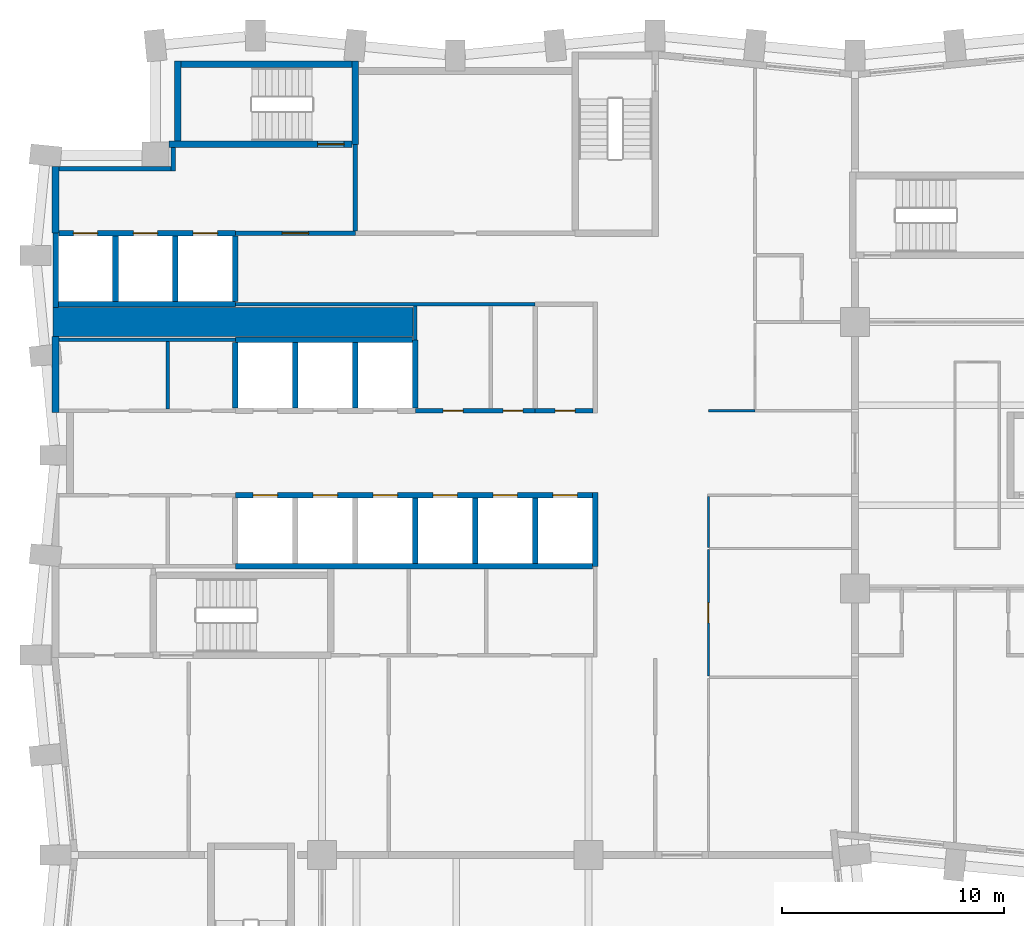
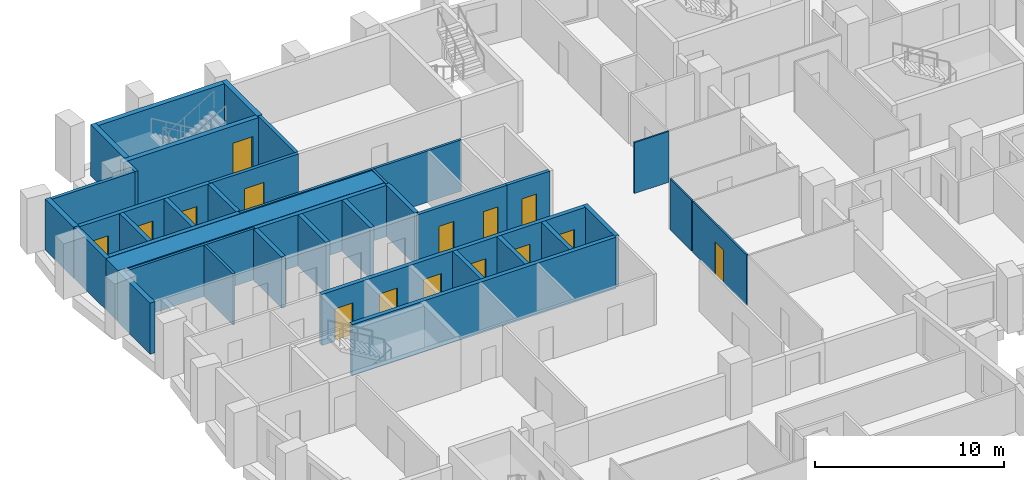
# One storey, part 6 of 12: 37 walls, 15 doors, 15 openings.
"""IFC4 building model written with IfcOpenShell, lengths in metres."""

from ifc_helpers import new_model, si_unit, direction, frame, frame_2d, origin, place, context, subcontext, project, spatial, rectangle, extrude, material, layer, layer_set, type_object, element, fill, save


model = new_model("IFC4")

# Units and contexts
model_context = context("Model", 3, precision=1e-05, world=origin(), true_north=direction((0.0, 1.0)))
body_context = subcontext(model_context, "Body", "Model", "MODEL_VIEW")
ifc_project = project(units=[si_unit("LENGTHUNIT", "METRE"), si_unit("AREAUNIT", "SQUARE_METRE"), si_unit("VOLUMEUNIT", "CUBIC_METRE"), si_unit("PLANEANGLEUNIT", "RADIAN"), si_unit("MASSUNIT", "GRAM", prefix="KILO")], contexts=[model_context])

# Site, building, storey
site_placement = place(None, origin())
site = spatial("IfcSite", under=ifc_project, at=site_placement, CompositionType="ELEMENT")
building_placement = place(site_placement, origin())
building = spatial("IfcBuilding", under=site, at=building_placement, Name="Brondeck Convention Tower", CompositionType="ELEMENT")
storey_placement = place(building_placement, frame((0.0, 0.0, 77.10009765625)))
storey = spatial("IfcBuildingStorey", under=building, at=storey_placement, Name="L17", CompositionType="ELEMENT", Elevation=77.10009765625)

# Walls
ifc_material_1 = material(Name="Concrete C80/95", Category="concrete")
ifc_layer_1 = layer(ifc_material_1, 0.300048828125)
ifc_layer_set_1 = layer_set([ifc_layer_1], Name="Core outer wall 300 Concrete C80/95")
wall_type_1 = type_object("IfcWallType", Name="Core outer wall 300 Concrete C80/95", PredefinedType="SHEAR", material=ifc_layer_set_1)
wall_1_placement = place(storey_placement, frame((0.0, 46.925048828125, 0.0), z_axis=(0.0, 0.0, 1.0), x_axis=(0.0, 1.0, 0.0)))
element("IfcWall", 1, at=wall_1_placement, inside=storey, type_object=wall_type_1, Name="L17 core wall", PredefinedType="SHEAR", context=body_context, shape_type="SweptSolid", body=[
    extrude(rectangle(XDim=3.425048828125, YDim=0.300048828125, at=frame_2d((1.71240234375, 0.0))), origin(), (0.0, 0.0, 1.0), 3.2998046875),
])
wall_2_placement = place(storey_placement, frame((0.0, 55.0, 0.0), z_axis=(0.0, 0.0, 1.0), x_axis=(0.0, 1.0, 0.0)))
element("IfcWall", 2, at=wall_2_placement, inside=storey, type_object=wall_type_1, Name="L17 core wall", PredefinedType="SHEAR", context=body_context, shape_type="SweptSolid", body=[
    extrude(rectangle(XDim=3.0, YDim=0.300048828125, at=frame_2d((1.5, 0.0))), origin(), (0.0, 0.0, 1.0), 3.2998046875),
])
ifc_material_2 = material(Name="Fire-rated gypsum board partition")
ifc_layer_2 = layer(ifc_material_2, 0.14990234375)
ifc_layer_set_2 = layer_set([ifc_layer_2], Name="Core partition 150 EI 60")
wall_type_2 = type_object("IfcWallType", Name="Core partition 150 EI 60", PredefinedType="PARTITIONING", material=ifc_layer_set_2)
wall_3_placement = place(storey_placement, frame((0.14990234375, 50.199951171875, 0.0), z_axis=(0.0, 0.0, 1.0), x_axis=(1.0, 0.0, 0.0)))
element("IfcWall", 3, at=wall_3_placement, inside=storey, type_object=wall_type_2, Name="L17 core wall", PredefinedType="PARTITIONING", context=body_context, shape_type="SweptSolid", body=[
    extrude(rectangle(XDim=7.9501953125, YDim=0.14990234375, at=frame_2d((3.97509765625, 0.0))), origin(), (0.0, 0.0, 1.0), 3.2998046875),
])
wall_4_placement = place(storey_placement, frame((8.10009765625, 51.800048828125, 0.0), z_axis=(0.0, 0.0, 1.0), x_axis=(1.0, 0.0, 0.0)))
element("IfcWall", 4, at=wall_4_placement, inside=storey, type_object=wall_type_2, Name="L17 core wall", PredefinedType="PARTITIONING", context=body_context, shape_type="SweptSolid", body=[
    extrude(rectangle(XDim=13.5, YDim=0.14990234375, at=frame_2d((6.75, 0.0))), origin(), (0.0, 0.0, 1.0), 3.2998046875),
])
wall_5_placement = place(storey_placement, frame((5.050048828125, 47.074951171875, 0.0), z_axis=(0.0, 0.0, 1.0), x_axis=(0.0, 1.0, 0.0)))
element("IfcWall", 5, at=wall_5_placement, inside=storey, type_object=wall_type_2, Name="L17 core wall", PredefinedType="PARTITIONING", context=body_context, shape_type="SweptSolid", body=[
    extrude(rectangle(XDim=3.050048828125, YDim=0.14990234375, at=frame_2d((1.52490234375, 0.0))), origin(), (0.0, 0.0, 1.0), 3.2998046875),
])
wall_6_placement = place(storey_placement, frame((16.199951171875, 50.199951171875, 0.0), z_axis=(0.0, 0.0, 1.0), x_axis=(0.0, 1.0, 0.0)))
element("IfcWall", 6, at=wall_6_placement, inside=storey, type_object=wall_type_2, Name="L17 core wall", PredefinedType="PARTITIONING", context=body_context, shape_type="SweptSolid", body=[
    extrude(rectangle(XDim=1.525146484375, YDim=0.14990234375, at=frame_2d((0.7626953125, 0.0))), origin(), (0.0, 0.0, 1.0), 3.2998046875),
])
ifc_layer_3 = layer(ifc_material_1, 1.300048828125)
ifc_layer_set_3 = layer_set([ifc_layer_3], Name="Core shear wall 1300 Concrete C80/95")
wall_type_3 = type_object("IfcWallType", Name="Core shear wall 1300 Concrete C80/95", PredefinedType="SHEAR", material=ifc_layer_set_3)
wall_7_placement = place(storey_placement, frame((-0.125, 51.0, 0.0), z_axis=(0.0, 0.0, 1.0), x_axis=(1.0, 0.0, 0.0)))
element("IfcWall", 7, at=wall_7_placement, inside=storey, type_object=wall_type_3, Name="L17 core wall", PredefinedType="SHEAR", context=body_context, shape_type="SweptSolid", body=[
    extrude(rectangle(XDim=16.22509765625, YDim=1.300048828125, at=frame_2d((8.112548828125, 0.0))), origin(), (0.0, 0.0, 1.0), 3.2998046875),
])

# Wall, opening, door
ifc_layer_4 = layer(ifc_material_2, 0.199951171875)
ifc_layer_set_4 = layer_set([ifc_layer_4], Name="Firefighting lobby wall 200 EI 120")
wall_type_4 = type_object("IfcWallType", Name="Firefighting lobby wall 200 EI 120", PredefinedType="PARTITIONING", material=ifc_layer_set_4)
wall_8_placement = place(storey_placement, frame((8.10009765625, 55.0, 0.0), z_axis=(0.0, 0.0, 1.0), x_axis=(1.0, 0.0, 0.0)))
wall_8 = element("IfcWall", 8, at=wall_8_placement, inside=storey, type_object=wall_type_4, Name="L17 core wall", PredefinedType="PARTITIONING", context=body_context, shape_type="SweptSolid", body=[
    extrude(rectangle(XDim=5.39990234375, YDim=0.199951171875, at=frame_2d((2.699951171875, 0.0))), origin(), (0.0, 0.0, 1.0), 3.2998046875),
])
opening_1_placement = place(wall_8_placement, frame((2.10009765625, 0.0, 0.0)))
opening_1 = element("IfcOpeningElement", 9, at=opening_1_placement, cuts=wall_8, Name="Opening C12-01", PredefinedType="OPENING", context=body_context, shape_type="SweptSolid", body=[
    extrude(rectangle(XDim=1.199951171875, YDim=2.199951171875, at=frame_2d((0.60009765625, 1.10009765625))), frame((0.0, 0.10986328125, 0.0), z_axis=(0.0, -1.0, 0.0), x_axis=(1.0, 0.0, 0.0)), (0.0, 0.0, 1.0), 0.219970703125),
])
ifc_material_3 = material(Name="Steel fire door", Category="steel")
door_type_1 = type_object("IfcDoorType", Name="Firefighting lobby door 1200x2200 EI 120", OperationType="NOTDEFINED", PredefinedType="DOOR", material=ifc_material_3)
door_1_placement = place(opening_1_placement, origin())
door_1 = element("IfcDoor", 10, at=door_1_placement, inside=storey, type_object=door_type_1, Name="L17 Firefighting lobby door FFL-1", OperationType="SINGLE_SWING_RIGHT", OverallHeight=2.199951171875, OverallWidth=1.199951171875, PredefinedType="DOOR", context=body_context, shape_type="SweptSolid", body=[
    extrude(rectangle(XDim=1.199951171875, YDim=2.199951171875, at=frame_2d((0.60009765625, 1.10009765625))), frame((0.0, 0.02490234375, 0.0), z_axis=(0.0, -1.0, 0.0), x_axis=(1.0, 0.0, 0.0)), (0.0, 0.0, 1.0), 0.050048828125),
])
fill(opening_1, door_1)

# Walls
wall_9_placement = place(storey_placement, frame((0.14990234375, 57.89990234375, 0.0), z_axis=(0.0, 0.0, 1.0), x_axis=(1.0, 0.0, 0.0)))
element("IfcWall", 11, at=wall_9_placement, inside=storey, type_object=wall_type_4, Name="L17 core wall", PredefinedType="PARTITIONING", context=body_context, shape_type="SweptSolid", body=[
    extrude(rectangle(XDim=5.050048828125, YDim=0.199951171875, at=frame_2d((2.52490234375, 0.0))), origin(), (0.0, 0.0, 1.0), 3.2998046875),
])
wall_10_placement = place(storey_placement, frame((5.300048828125, 57.800048828125, 0.0), z_axis=(0.0, 0.0, 1.0), x_axis=(0.0, 1.0, 0.0)))
element("IfcWall", 12, at=wall_10_placement, inside=storey, type_object=wall_type_4, Name="L17 core wall", PredefinedType="PARTITIONING", context=body_context, shape_type="SweptSolid", body=[
    extrude(rectangle(XDim=1.050048828125, YDim=0.199951171875, at=frame_2d((0.52490234375, 0.0))), origin(), (0.0, 0.0, 1.0), 3.2998046875),
])
wall_11_placement = place(storey_placement, frame((13.5, 55.10009765625, 0.0), z_axis=(0.0, 0.0, 1.0), x_axis=(0.0, 1.0, 0.0)))
element("IfcWall", 13, at=wall_11_placement, inside=storey, type_object=wall_type_4, Name="L17 core wall", PredefinedType="PARTITIONING", context=body_context, shape_type="SweptSolid", body=[
    extrude(rectangle(XDim=3.89990234375, YDim=0.199951171875, at=frame_2d((1.949951171875, 0.0))), origin(), (0.0, 0.0, 1.0), 3.2998046875),
])

# Wall, openings, doors
ifc_layer_5 = layer(ifc_material_2, 0.199951171875)
ifc_layer_set_5 = layer_set([ifc_layer_5], Name="Lift lobby wall 200 EI 60")
wall_type_5 = type_object("IfcWallType", Name="Lift lobby wall 200 EI 60", PredefinedType="PARTITIONING", material=ifc_layer_set_5)
wall_12_placement = place(storey_placement, frame((16.199951171875, 47.0, 0.0), z_axis=(0.0, 0.0, 1.0), x_axis=(1.0, 0.0, 0.0)))
wall_12 = element("IfcWall", 14, at=wall_12_placement, inside=storey, type_object=wall_type_5, Name="L17 core wall", PredefinedType="PARTITIONING", context=body_context, shape_type="SweptSolid", body=[
    extrude(rectangle(XDim=5.400146484375, YDim=0.199951171875, at=frame_2d((2.7001953125, 0.0))), origin(), (0.0, 0.0, 1.0), 3.2998046875),
])
opening_2_placement = place(wall_12_placement, frame((1.25, 0.0, 0.0)))
opening_2 = element("IfcOpeningElement", 15, at=opening_2_placement, cuts=wall_12, Name="Opening C12-09", PredefinedType="OPENING", context=body_context, shape_type="SweptSolid", body=[
    extrude(rectangle(XDim=0.89990234375, YDim=2.10009765625, at=frame_2d((0.449951171875, 1.050048828125))), frame((0.0, 0.10986328125, 0.0), z_axis=(0.0, -1.0, 0.0), x_axis=(1.0, 0.0, 0.0)), (0.0, 0.0, 1.0), 0.219970703125),
])
opening_3_placement = place(wall_12_placement, frame((3.949951171875, 0.0, 0.0)))
opening_3 = element("IfcOpeningElement", 16, at=opening_3_placement, cuts=wall_12, Name="Opening C12-10", PredefinedType="OPENING", context=body_context, shape_type="SweptSolid", body=[
    extrude(rectangle(XDim=0.89990234375, YDim=2.10009765625, at=frame_2d((0.449951171875, 1.050048828125))), frame((0.0, 0.10986328125, 0.0), z_axis=(0.0, -1.0, 0.0), x_axis=(1.0, 0.0, 0.0)), (0.0, 0.0, 1.0), 0.219970703125),
])
door_type_2 = type_object("IfcDoorType", Name="Room door 900x2100 EI 60", OperationType="NOTDEFINED", PredefinedType="DOOR", material=ifc_material_3)
door_2_placement = place(opening_2_placement, origin())
door_2 = element("IfcDoor", 17, at=door_2_placement, inside=storey, type_object=door_type_2, Name="L17 Room door FZ-N-16.2-1", OperationType="SINGLE_SWING_LEFT", OverallHeight=2.10009765625, OverallWidth=0.89990234375, PredefinedType="DOOR", context=body_context, shape_type="SweptSolid", body=[
    extrude(rectangle(XDim=0.89990234375, YDim=2.10009765625, at=frame_2d((0.449951171875, 1.050048828125))), frame((0.0, 0.02490234375, 0.0), z_axis=(0.0, -1.0, 0.0), x_axis=(1.0, 0.0, 0.0)), (0.0, 0.0, 1.0), 0.050048828125),
])
fill(opening_2, door_2)
door_3_placement = place(opening_3_placement, origin())
door_3 = element("IfcDoor", 18, at=door_3_placement, inside=storey, type_object=door_type_2, Name="L17 Room door FZ-N-16.2-2", OperationType="SINGLE_SWING_RIGHT", OverallHeight=2.10009765625, OverallWidth=0.89990234375, PredefinedType="DOOR", context=body_context, shape_type="SweptSolid", body=[
    extrude(rectangle(XDim=0.89990234375, YDim=2.10009765625, at=frame_2d((0.449951171875, 1.050048828125))), frame((0.0, 0.02490234375, 0.0), z_axis=(0.0, -1.0, 0.0), x_axis=(1.0, 0.0, 0.0)), (0.0, 0.0, 1.0), 0.050048828125),
])
fill(opening_3, door_3)

# Wall
ifc_layer_6 = layer(ifc_material_1, 0.25)
ifc_layer_set_6 = layer_set([ifc_layer_6], Name="Lift shaft wall 250 Concrete C80/95")
wall_type_6 = type_object("IfcWallType", Name="Lift shaft wall 250 Concrete C80/95", PredefinedType="SHEAR", material=ifc_layer_set_6)
wall_13_placement = place(storey_placement, frame((8.10009765625, 40.0, 0.0), z_axis=(0.0, 0.0, 1.0), x_axis=(1.0, 0.0, 0.0)))
element("IfcWall", 19, at=wall_13_placement, inside=storey, type_object=wall_type_6, Name="L17 core wall", PredefinedType="SHEAR", context=body_context, shape_type="SweptSolid", body=[
    extrude(rectangle(XDim=16.074951171875, YDim=0.25, at=frame_2d((8.03759765625, 0.0))), origin(), (0.0, 0.0, 1.0), 3.2998046875),
])

# Wall, openings, doors
wall_14_placement = place(storey_placement, frame((8.10009765625, 43.199951171875, 0.0), z_axis=(0.0, 0.0, 1.0), x_axis=(1.0, 0.0, 0.0)))
wall_14 = element("IfcWall", 20, at=wall_14_placement, inside=storey, type_object=wall_type_6, Name="L17 core wall", PredefinedType="SHEAR", context=body_context, shape_type="SweptSolid", body=[
    extrude(rectangle(XDim=16.074951171875, YDim=0.25, at=frame_2d((8.03759765625, 0.0))), origin(), (0.0, 0.0, 1.0), 3.2998046875),
])
opening_4_placement = place(wall_14_placement, frame((14.300048828125, 0.0, 0.0)))
opening_4 = element("IfcOpeningElement", 21, at=opening_4_placement, cuts=wall_14, Name="Opening C12-24", PredefinedType="OPENING", context=body_context, shape_type="SweptSolid", body=[
    extrude(rectangle(XDim=1.10009765625, YDim=2.10009765625, at=frame_2d((0.550048828125, 1.050048828125))), frame((0.0, 0.135009765625, 0.0), z_axis=(0.0, -1.0, 0.0), x_axis=(1.0, 0.0, 0.0)), (0.0, 0.0, 1.0), 0.27001953125),
])
opening_5_placement = place(wall_14_placement, frame((0.800048828125, 0.0, 0.0)))
opening_5 = element("IfcOpeningElement", 22, at=opening_5_placement, cuts=wall_14, Name="Opening C12-25", PredefinedType="OPENING", context=body_context, shape_type="SweptSolid", body=[
    extrude(rectangle(XDim=1.10009765625, YDim=2.10009765625, at=frame_2d((0.550048828125, 1.050048828125))), frame((0.0, 0.135009765625, 0.0), z_axis=(0.0, -1.0, 0.0), x_axis=(1.0, 0.0, 0.0)), (0.0, 0.0, 1.0), 0.27001953125),
])
opening_6_placement = place(wall_14_placement, frame((3.5, 0.0, 0.0)))
opening_6 = element("IfcOpeningElement", 23, at=opening_6_placement, cuts=wall_14, Name="Opening C12-26", PredefinedType="OPENING", context=body_context, shape_type="SweptSolid", body=[
    extrude(rectangle(XDim=1.10009765625, YDim=2.10009765625, at=frame_2d((0.550048828125, 1.050048828125))), frame((0.0, 0.135009765625, 0.0), z_axis=(0.0, -1.0, 0.0), x_axis=(1.0, 0.0, 0.0)), (0.0, 0.0, 1.0), 0.27001953125),
])
opening_7_placement = place(wall_14_placement, frame((6.199951171875, 0.0, 0.0)))
opening_7 = element("IfcOpeningElement", 24, at=opening_7_placement, cuts=wall_14, Name="Opening C12-27", PredefinedType="OPENING", context=body_context, shape_type="SweptSolid", body=[
    extrude(rectangle(XDim=1.10009765625, YDim=2.10009765625, at=frame_2d((0.550048828125, 1.050048828125))), frame((0.0, 0.135009765625, 0.0), z_axis=(0.0, -1.0, 0.0), x_axis=(1.0, 0.0, 0.0)), (0.0, 0.0, 1.0), 0.27001953125),
])
opening_8_placement = place(wall_14_placement, frame((8.89990234375, 0.0, 0.0)))
opening_8 = element("IfcOpeningElement", 25, at=opening_8_placement, cuts=wall_14, Name="Opening C12-31", PredefinedType="OPENING", context=body_context, shape_type="SweptSolid", body=[
    extrude(rectangle(XDim=1.10009765625, YDim=2.10009765625, at=frame_2d((0.550048828125, 1.050048828125))), frame((0.0, 0.135009765625, 0.0), z_axis=(0.0, -1.0, 0.0), x_axis=(1.0, 0.0, 0.0)), (0.0, 0.0, 1.0), 0.27001953125),
])
opening_9_placement = place(wall_14_placement, frame((11.60009765625, 0.0, 0.0)))
opening_9 = element("IfcOpeningElement", 26, at=opening_9_placement, cuts=wall_14, Name="Opening C12-32", PredefinedType="OPENING", context=body_context, shape_type="SweptSolid", body=[
    extrude(rectangle(XDim=1.10009765625, YDim=2.10009765625, at=frame_2d((0.550048828125, 1.050048828125))), frame((0.0, 0.135009765625, 0.0), z_axis=(0.0, -1.0, 0.0), x_axis=(1.0, 0.0, 0.0)), (0.0, 0.0, 1.0), 0.27001953125),
])
ifc_material_4 = material(Name="Stainless steel lift door", Category="steel")
door_type_3 = type_object("IfcDoorType", Name="Lift landing door 1100x2100 EI 180", OperationType="DOUBLE_DOOR_SLIDING", PredefinedType="DOOR", material=ifc_material_4)
door_4_placement = place(opening_4_placement, origin())
door_4 = element("IfcDoor", 27, at=door_4_placement, inside=storey, type_object=door_type_3, Name="L17 Lift landing door HS1", OperationType="DOUBLE_DOOR_SLIDING", OverallHeight=2.10009765625, OverallWidth=1.10009765625, PredefinedType="DOOR", context=body_context, shape_type="SweptSolid", body=[
    extrude(rectangle(XDim=1.10009765625, YDim=2.10009765625, at=frame_2d((0.550048828125, 1.050048828125))), frame((0.0, 0.02490234375, 0.0), z_axis=(0.0, -1.0, 0.0), x_axis=(1.0, 0.0, 0.0)), (0.0, 0.0, 1.0), 0.050048828125),
])
fill(opening_4, door_4)
door_5_placement = place(opening_5_placement, origin())
door_5 = element("IfcDoor", 28, at=door_5_placement, inside=storey, type_object=door_type_3, Name="L17 Lift landing door LR1", OperationType="DOUBLE_DOOR_SLIDING", OverallHeight=2.10009765625, OverallWidth=1.10009765625, PredefinedType="DOOR", context=body_context, shape_type="SweptSolid", body=[
    extrude(rectangle(XDim=1.10009765625, YDim=2.10009765625, at=frame_2d((0.550048828125, 1.050048828125))), frame((0.0, 0.02490234375, 0.0), z_axis=(0.0, -1.0, 0.0), x_axis=(1.0, 0.0, 0.0)), (0.0, 0.0, 1.0), 0.050048828125),
])
fill(opening_5, door_5)
door_6_placement = place(opening_6_placement, origin())
door_6 = element("IfcDoor", 29, at=door_6_placement, inside=storey, type_object=door_type_3, Name="L17 Lift landing door LR2", OperationType="DOUBLE_DOOR_SLIDING", OverallHeight=2.10009765625, OverallWidth=1.10009765625, PredefinedType="DOOR", context=body_context, shape_type="SweptSolid", body=[
    extrude(rectangle(XDim=1.10009765625, YDim=2.10009765625, at=frame_2d((0.550048828125, 1.050048828125))), frame((0.0, 0.02490234375, 0.0), z_axis=(0.0, -1.0, 0.0), x_axis=(1.0, 0.0, 0.0)), (0.0, 0.0, 1.0), 0.050048828125),
])
fill(opening_6, door_6)
door_7_placement = place(opening_7_placement, origin())
door_7 = element("IfcDoor", 30, at=door_7_placement, inside=storey, type_object=door_type_3, Name="L17 Lift landing door LR3", OperationType="DOUBLE_DOOR_SLIDING", OverallHeight=2.10009765625, OverallWidth=1.10009765625, PredefinedType="DOOR", context=body_context, shape_type="SweptSolid", body=[
    extrude(rectangle(XDim=1.10009765625, YDim=2.10009765625, at=frame_2d((0.550048828125, 1.050048828125))), frame((0.0, 0.02490234375, 0.0), z_axis=(0.0, -1.0, 0.0), x_axis=(1.0, 0.0, 0.0)), (0.0, 0.0, 1.0), 0.050048828125),
])
fill(opening_7, door_7)
door_8_placement = place(opening_8_placement, origin())
door_8 = element("IfcDoor", 31, at=door_8_placement, inside=storey, type_object=door_type_3, Name="L17 Lift landing door SH1", OperationType="DOUBLE_DOOR_SLIDING", OverallHeight=2.10009765625, OverallWidth=1.10009765625, PredefinedType="DOOR", context=body_context, shape_type="SweptSolid", body=[
    extrude(rectangle(XDim=1.10009765625, YDim=2.10009765625, at=frame_2d((0.550048828125, 1.050048828125))), frame((0.0, 0.02490234375, 0.0), z_axis=(0.0, -1.0, 0.0), x_axis=(1.0, 0.0, 0.0)), (0.0, 0.0, 1.0), 0.050048828125),
])
fill(opening_8, door_8)
door_9_placement = place(opening_9_placement, origin())
door_9 = element("IfcDoor", 32, at=door_9_placement, inside=storey, type_object=door_type_3, Name="L17 Lift landing door SH2", OperationType="DOUBLE_DOOR_SLIDING", OverallHeight=2.10009765625, OverallWidth=1.10009765625, PredefinedType="DOOR", context=body_context, shape_type="SweptSolid", body=[
    extrude(rectangle(XDim=1.10009765625, YDim=2.10009765625, at=frame_2d((0.550048828125, 1.050048828125))), frame((0.0, 0.02490234375, 0.0), z_axis=(0.0, -1.0, 0.0), x_axis=(1.0, 0.0, 0.0)), (0.0, 0.0, 1.0), 0.050048828125),
])
fill(opening_9, door_9)

# Walls
wall_15_placement = place(storey_placement, frame((8.10009765625, 50.199951171875, 0.0), z_axis=(0.0, 0.0, 1.0), x_axis=(1.0, 0.0, 0.0)))
element("IfcWall", 33, at=wall_15_placement, inside=storey, type_object=wall_type_6, Name="L17 core wall", PredefinedType="SHEAR", context=body_context, shape_type="SweptSolid", body=[
    extrude(rectangle(XDim=7.974853515625, YDim=0.25, at=frame_2d((3.9873046875, 0.0))), origin(), (0.0, 0.0, 1.0), 3.2998046875),
])
wall_16_placement = place(storey_placement, frame((0.125, 51.800048828125, 0.0), z_axis=(0.0, 0.0, 1.0), x_axis=(1.0, 0.0, 0.0)))
element("IfcWall", 34, at=wall_16_placement, inside=storey, type_object=wall_type_6, Name="L17 core wall", PredefinedType="SHEAR", context=body_context, shape_type="SweptSolid", body=[
    extrude(rectangle(XDim=7.97509765625, YDim=0.25, at=frame_2d((3.987548828125, 0.0))), origin(), (0.0, 0.0, 1.0), 3.2998046875),
])

# Wall, openings, doors
wall_17_placement = place(storey_placement, frame((0.14990234375, 55.0, 0.0), z_axis=(0.0, 0.0, 1.0), x_axis=(1.0, 0.0, 0.0)))
wall_17 = element("IfcWall", 35, at=wall_17_placement, inside=storey, type_object=wall_type_6, Name="L17 core wall", PredefinedType="SHEAR", context=body_context, shape_type="SweptSolid", body=[
    extrude(rectangle(XDim=7.9501953125, YDim=0.25, at=frame_2d((3.97509765625, 0.0))), origin(), (0.0, 0.0, 1.0), 3.2998046875),
])
opening_10_placement = place(wall_17_placement, frame((0.64990234375, 0.0, 0.0)))
opening_10 = element("IfcOpeningElement", 36, at=opening_10_placement, cuts=wall_17, Name="Opening C12-21", PredefinedType="OPENING", context=body_context, shape_type="SweptSolid", body=[
    extrude(rectangle(XDim=1.10009765625, YDim=2.10009765625, at=frame_2d((0.550048828125, 1.050048828125))), frame((0.0, 0.135009765625, 0.0), z_axis=(0.0, -1.0, 0.0), x_axis=(1.0, 0.0, 0.0)), (0.0, 0.0, 1.0), 0.27001953125),
])
opening_11_placement = place(wall_17_placement, frame((3.35009765625, 0.0, 0.0)))
opening_11 = element("IfcOpeningElement", 37, at=opening_11_placement, cuts=wall_17, Name="Opening C12-22", PredefinedType="OPENING", context=body_context, shape_type="SweptSolid", body=[
    extrude(rectangle(XDim=1.10009765625, YDim=2.10009765625, at=frame_2d((0.550048828125, 1.050048828125))), frame((0.0, 0.135009765625, 0.0), z_axis=(0.0, -1.0, 0.0), x_axis=(1.0, 0.0, 0.0)), (0.0, 0.0, 1.0), 0.27001953125),
])
opening_12_placement = place(wall_17_placement, frame((6.050048828125, 0.0, 0.0)))
opening_12 = element("IfcOpeningElement", 38, at=opening_12_placement, cuts=wall_17, Name="Opening C12-23", PredefinedType="OPENING", context=body_context, shape_type="SweptSolid", body=[
    extrude(rectangle(XDim=1.10009765625, YDim=2.10009765625, at=frame_2d((0.550048828125, 1.050048828125))), frame((0.0, 0.135009765625, 0.0), z_axis=(0.0, -1.0, 0.0), x_axis=(1.0, 0.0, 0.0)), (0.0, 0.0, 1.0), 0.27001953125),
])
door_10_placement = place(opening_10_placement, origin())
door_10 = element("IfcDoor", 39, at=door_10_placement, inside=storey, type_object=door_type_3, Name="L17 Lift landing door FF1", OperationType="DOUBLE_DOOR_SLIDING", OverallHeight=2.10009765625, OverallWidth=1.10009765625, PredefinedType="DOOR", context=body_context, shape_type="SweptSolid", body=[
    extrude(rectangle(XDim=1.10009765625, YDim=2.10009765625, at=frame_2d((0.550048828125, 1.050048828125))), frame((0.0, 0.02490234375, 0.0), z_axis=(0.0, -1.0, 0.0), x_axis=(1.0, 0.0, 0.0)), (0.0, 0.0, 1.0), 0.050048828125),
])
fill(opening_10, door_10)
door_11_placement = place(opening_11_placement, origin())
door_11 = element("IfcDoor", 40, at=door_11_placement, inside=storey, type_object=door_type_3, Name="L17 Lift landing door FF2", OperationType="DOUBLE_DOOR_SLIDING", OverallHeight=2.10009765625, OverallWidth=1.10009765625, PredefinedType="DOOR", context=body_context, shape_type="SweptSolid", body=[
    extrude(rectangle(XDim=1.10009765625, YDim=2.10009765625, at=frame_2d((0.550048828125, 1.050048828125))), frame((0.0, 0.02490234375, 0.0), z_axis=(0.0, -1.0, 0.0), x_axis=(1.0, 0.0, 0.0)), (0.0, 0.0, 1.0), 0.050048828125),
])
fill(opening_11, door_11)
door_12_placement = place(opening_12_placement, origin())
door_12 = element("IfcDoor", 41, at=door_12_placement, inside=storey, type_object=door_type_3, Name="L17 Lift landing door FF3", OperationType="DOUBLE_DOOR_SLIDING", OverallHeight=2.10009765625, OverallWidth=1.10009765625, PredefinedType="DOOR", context=body_context, shape_type="SweptSolid", body=[
    extrude(rectangle(XDim=1.10009765625, YDim=2.10009765625, at=frame_2d((0.550048828125, 1.050048828125))), frame((0.0, 0.02490234375, 0.0), z_axis=(0.0, -1.0, 0.0), x_axis=(1.0, 0.0, 0.0)), (0.0, 0.0, 1.0), 0.050048828125),
])
fill(opening_12, door_12)

# Walls
wall_18_placement = place(storey_placement, frame((0.0, 51.64990234375, 0.0), z_axis=(0.0, 0.0, 1.0), x_axis=(0.0, 1.0, 0.0)))
element("IfcWall", 42, at=wall_18_placement, inside=storey, type_object=wall_type_6, Name="L17 core wall", PredefinedType="SHEAR", context=body_context, shape_type="SweptSolid", body=[
    extrude(rectangle(XDim=3.35009765625, YDim=0.25, at=frame_2d((1.675048828125, 0.0))), origin(), (0.0, 0.0, 1.0), 3.2998046875),
])
for number, where, z_axis, x_axis, name in (
    (43, (2.699951171875, 51.925048828125, 0.0), (0.0, 0.0, 1.0), (0.0, 1.0, 0.0), "L17 core wall"),
    (44, (5.39990234375, 51.925048828125, 0.0), (0.0, 0.0, 1.0), (0.0, 1.0, 0.0), "L17 core wall"),
    (45, (8.10009765625, 47.125, 0.0), (0.0, 0.0, 1.0), (0.0, 1.0, 0.0), "L17 core wall"),
    (46, (8.10009765625, 51.925048828125, 0.0), (0.0, 0.0, 1.0), (0.0, 1.0, 0.0), "L17 core wall"),
    (47, (10.800048828125, 47.125, 0.0), (0.0, 0.0, 1.0), (0.0, 1.0, 0.0), "L17 core wall"),
    (48, (13.5, 47.125, 0.0), (0.0, 0.0, 1.0), (0.0, 1.0, 0.0), "L17 core wall"),
    (49, (16.199951171875, 40.125, 0.0), (0.0, 0.0, 1.0), (0.0, 1.0, 0.0), "L17 core wall"),
):
    element("IfcWall", number, at=place(storey_placement, frame(where, z_axis=z_axis, x_axis=x_axis)), inside=storey, type_object=wall_type_6, Name=name, PredefinedType="SHEAR", context=body_context, shape_type="SweptSolid", body=[
        extrude(rectangle(XDim=2.949951171875, YDim=0.25, at=frame_2d((1.47509765625, 0.0))), origin(), (0.0, 0.0, 1.0), 3.2998046875),
    ])
wall_19_placement = place(storey_placement, frame((16.199951171875, 47.125, 0.0), z_axis=(0.0, 0.0, 1.0), x_axis=(0.0, 1.0, 0.0)))
element("IfcWall", 50, at=wall_19_placement, inside=storey, type_object=wall_type_6, Name="L17 core wall", PredefinedType="SHEAR", context=body_context, shape_type="SweptSolid", body=[
    extrude(rectangle(XDim=3.074951171875, YDim=0.25, at=frame_2d((1.53759765625, 0.0))), origin(), (0.0, 0.0, 1.0), 3.2998046875),
])
for number, where, z_axis, x_axis, name in (
    (51, (18.89990234375, 40.125, 0.0), (0.0, 0.0, 1.0), (0.0, 1.0, 0.0), "L17 core wall"),
    (52, (21.60009765625, 40.125, 0.0), (0.0, 0.0, 1.0), (0.0, 1.0, 0.0), "L17 core wall"),
):
    element("IfcWall", number, at=place(storey_placement, frame(where, z_axis=z_axis, x_axis=x_axis)), inside=storey, type_object=wall_type_6, Name=name, PredefinedType="SHEAR", context=body_context, shape_type="SweptSolid", body=[
        extrude(rectangle(XDim=2.949951171875, YDim=0.25, at=frame_2d((1.47509765625, 0.0))), origin(), (0.0, 0.0, 1.0), 3.2998046875),
    ])
wall_20_placement = place(storey_placement, frame((24.300048828125, 40.0, 0.0), z_axis=(0.0, 0.0, 1.0), x_axis=(0.0, 1.0, 0.0)))
element("IfcWall", 53, at=wall_20_placement, inside=storey, type_object=wall_type_6, Name="L17 core wall", PredefinedType="SHEAR", context=body_context, shape_type="SweptSolid", body=[
    extrude(rectangle(XDim=3.324951171875, YDim=0.25, at=frame_2d((1.66259765625, 0.0))), origin(), (0.0, 0.0, 1.0), 3.2998046875),
])

# Wall, opening, door
ifc_layer_7 = layer(ifc_material_2, 0.199951171875)
ifc_layer_set_7 = layer_set([ifc_layer_7], Name="Riser wall 200 EI 120")
wall_type_7 = type_object("IfcWallType", Name="Riser wall 200 EI 120", PredefinedType="PARTITIONING", material=ifc_layer_set_7)
wall_21_placement = place(storey_placement, frame((21.60009765625, 47.0, 0.0), z_axis=(0.0, 0.0, 1.0), x_axis=(1.0, 0.0, 0.0)))
wall_21 = element("IfcWall", 54, at=wall_21_placement, inside=storey, type_object=wall_type_7, Name="L17 core wall", PredefinedType="PARTITIONING", context=body_context, shape_type="SweptSolid", body=[
    extrude(rectangle(XDim=2.599853515625, YDim=0.199951171875, at=frame_2d((1.2998046875, 0.0))), origin(), (0.0, 0.0, 1.0), 3.2998046875),
])
opening_13_placement = place(wall_21_placement, frame((0.89990234375, 0.0, 0.0)))
opening_13 = element("IfcOpeningElement", 55, at=opening_13_placement, cuts=wall_21, Name="Opening C12-02", PredefinedType="OPENING", context=body_context, shape_type="SweptSolid", body=[
    extrude(rectangle(XDim=0.89990234375, YDim=2.10009765625, at=frame_2d((0.449951171875, 1.050048828125))), frame((0.0, 0.10986328125, 0.0), z_axis=(0.0, -1.0, 0.0), x_axis=(1.0, 0.0, 0.0)), (0.0, 0.0, 1.0), 0.219970703125),
])
door_type_4 = type_object("IfcDoorType", Name="Riser door 900x2100 EI 120", OperationType="NOTDEFINED", PredefinedType="DOOR", material=ifc_material_3)
door_13_placement = place(opening_13_placement, origin())
door_13 = element("IfcDoor", 56, at=door_13_placement, inside=storey, type_object=door_type_4, Name="L17 Riser door EN-1", OperationType="SINGLE_SWING_LEFT", OverallHeight=2.10009765625, OverallWidth=0.89990234375, PredefinedType="DOOR", context=body_context, shape_type="SweptSolid", body=[
    extrude(rectangle(XDim=0.89990234375, YDim=2.10009765625, at=frame_2d((0.449951171875, 1.050048828125))), frame((0.0, 0.02490234375, 0.0), z_axis=(0.0, -1.0, 0.0), x_axis=(1.0, 0.0, 0.0)), (0.0, 0.0, 1.0), 0.050048828125),
])
fill(opening_13, door_13)

ifc_material_5 = material(Name="Gypsum board partition on steel studs", Category="steel")
ifc_layer_8 = layer(ifc_material_5, 0.10009765625)
ifc_layer_set_8 = layer_set([ifc_layer_8], Name="Room partition 100")
wall_type_8 = type_object("IfcWallType", Name="Room partition 100", PredefinedType="PARTITIONING", material=ifc_layer_set_8)
wall_22_placement = place(storey_placement, frame((29.39990234375, 40.75, 0.0), z_axis=(0.0, 0.0, 1.0), x_axis=(0.0, -1.0, 0.0)))
wall_22 = element("IfcWall", 57, at=wall_22_placement, inside=storey, type_object=wall_type_8, Name="FLR-L17-W078", PredefinedType="PARTITIONING", context=body_context, shape_type="SweptSolid", body=[
    extrude(rectangle(XDim=5.699951171875, YDim=0.10009765625, at=frame_2d((2.85009765625, 0.0))), origin(), (0.0, 0.0, 1.0), 3.27978515625),
])
opening_14_placement = place(wall_22_placement, frame((2.39990234375, 0.0, 0.0)))
opening_14 = element("IfcOpeningElement", 58, at=opening_14_placement, cuts=wall_22, Name="Opening H5-037", PredefinedType="OPENING", context=body_context, shape_type="SweptSolid", body=[
    extrude(rectangle(XDim=0.89990234375, YDim=2.10009765625, at=frame_2d((0.449951171875, 1.050048828125))), frame((0.0, 0.06005859375, 0.0), z_axis=(0.0, -1.0, 0.0), x_axis=(1.0, 0.0, 0.0)), (0.0, 0.0, 1.0), 0.1201171875),
])
ifc_material_6 = material(Name="Solid timber door leaf", Category="wood")
door_type_5 = type_object("IfcDoorType", Name="Single door 900", OperationType="NOTDEFINED", PredefinedType="DOOR", material=ifc_material_6)
door_14_placement = place(opening_14_placement, origin())
door_14 = element("IfcDoor", 59, at=door_14_placement, inside=storey, type_object=door_type_5, Name="Door H5-037", OperationType="SINGLE_SWING_RIGHT", OverallHeight=2.10009765625, OverallWidth=0.89990234375, PredefinedType="DOOR", context=body_context, shape_type="SweptSolid", body=[
    extrude(rectangle(XDim=0.89990234375, YDim=2.10009765625, at=frame_2d((0.449951171875, 1.050048828125))), frame((0.0, 0.02490234375, 0.0), z_axis=(0.0, -1.0, 0.0), x_axis=(1.0, 0.0, 0.0)), (0.0, 0.0, 1.0), 0.050048828125),
])
fill(opening_14, door_14)

# Walls
wall_23_placement = place(storey_placement, frame((29.39990234375, 43.14990234375, 0.0), z_axis=(0.0, 0.0, 1.0), x_axis=(0.0, -1.0, 0.0)))
element("IfcWall", 60, at=wall_23_placement, inside=storey, type_object=wall_type_8, Name="FLR-L17-W086", PredefinedType="PARTITIONING", context=body_context, shape_type="SweptSolid", body=[
    extrude(rectangle(XDim=2.2998046875, YDim=0.10009765625, at=frame_2d((1.14990234375, 0.0))), origin(), (0.0, 0.0, 1.0), 3.27978515625),
])
wall_24_placement = place(storey_placement, frame((29.39990234375, 47.0, 0.0), z_axis=(0.0, 0.0, 1.0), x_axis=(1.0, 0.0, 0.0)))
element("IfcWall", 61, at=wall_24_placement, inside=storey, type_object=wall_type_8, Name="FLR-L17-W092", PredefinedType="PARTITIONING", context=body_context, shape_type="SweptSolid", body=[
    extrude(rectangle(XDim=2.10009765625, YDim=0.10009765625, at=frame_2d((1.050048828125, 0.0))), origin(), (0.0, 0.0, 1.0), 3.27978515625),
])

# Wall, opening, door
ifc_layer_9 = layer(ifc_material_1, 0.300048828125)
ifc_layer_set_9 = layer_set([ifc_layer_9], Name="Stair enclosure wall 300 Concrete C80/95")
wall_type_9 = type_object("IfcWallType", Name="Stair enclosure wall 300 Concrete C80/95", PredefinedType="SHEAR", material=ifc_layer_set_9)
wall_25_placement = place(storey_placement, frame((5.10009765625, 59.0, 0.0), z_axis=(0.0, 0.0, 1.0), x_axis=(1.0, 0.0, 0.0)))
wall_25 = element("IfcWall", 62, at=wall_25_placement, inside=storey, type_object=wall_type_9, Name="L17 core wall", PredefinedType="SHEAR", context=body_context, shape_type="SweptSolid", body=[
    extrude(rectangle(XDim=8.25, YDim=0.300048828125, at=frame_2d((4.125, 0.0))), origin(), (0.0, 0.0, 1.0), 3.2998046875),
])
opening_15_placement = place(wall_25_placement, frame((6.699951171875, 0.0, 0.0)))
opening_15 = element("IfcOpeningElement", 63, at=opening_15_placement, cuts=wall_25, Name="Opening C12-16", PredefinedType="OPENING", context=body_context, shape_type="SweptSolid", body=[
    extrude(rectangle(XDim=1.199951171875, YDim=2.199951171875, at=frame_2d((0.60009765625, 1.10009765625))), frame((0.0, 0.159912109375, 0.0), z_axis=(0.0, -1.0, 0.0), x_axis=(1.0, 0.0, 0.0)), (0.0, 0.0, 1.0), 0.320068359375),
])
door_type_6 = type_object("IfcDoorType", Name="Stair door 1200x2200 EI 120", OperationType="NOTDEFINED", PredefinedType="DOOR", material=ifc_material_3)
door_15_placement = place(opening_15_placement, origin())
door_15 = element("IfcDoor", 64, at=door_15_placement, inside=storey, type_object=door_type_6, Name="L17 Stair door ST-3", OperationType="SINGLE_SWING_RIGHT", OverallHeight=2.199951171875, OverallWidth=1.199951171875, PredefinedType="DOOR", context=body_context, shape_type="SweptSolid", body=[
    extrude(rectangle(XDim=1.199951171875, YDim=2.199951171875, at=frame_2d((0.60009765625, 1.10009765625))), frame((0.0, 0.02490234375, 0.0), z_axis=(0.0, -1.0, 0.0), x_axis=(1.0, 0.0, 0.0)), (0.0, 0.0, 1.0), 0.050048828125),
])
fill(opening_15, door_15)

# Walls
wall_26_placement = place(storey_placement, frame((5.64990234375, 62.60009765625, 0.0), z_axis=(0.0, 0.0, 1.0), x_axis=(1.0, 0.0, 0.0)))
element("IfcWall", 65, at=wall_26_placement, inside=storey, type_object=wall_type_9, Name="L17 core wall", PredefinedType="SHEAR", context=body_context, shape_type="SweptSolid", body=[
    extrude(rectangle(XDim=7.7001953125, YDim=0.300048828125, at=frame_2d((3.85009765625, 0.0))), origin(), (0.0, 0.0, 1.0), 3.2998046875),
])
wall_27_placement = place(storey_placement, frame((5.5, 59.14990234375, 0.0), z_axis=(0.0, 0.0, 1.0), x_axis=(0.0, 1.0, 0.0)))
element("IfcWall", 66, at=wall_27_placement, inside=storey, type_object=wall_type_9, Name="L17 core wall", PredefinedType="SHEAR", context=body_context, shape_type="SweptSolid", body=[
    extrude(rectangle(XDim=3.60009765625, YDim=0.300048828125, at=frame_2d((1.800048828125, 0.0))), origin(), (0.0, 0.0, 1.0), 3.2998046875),
])
wall_28_placement = place(storey_placement, frame((13.5, 59.0, 0.0), z_axis=(0.0, 0.0, 1.0), x_axis=(0.0, 1.0, 0.0)))
element("IfcWall", 67, at=wall_28_placement, inside=storey, type_object=wall_type_9, Name="L17 core wall", PredefinedType="SHEAR", context=body_context, shape_type="SweptSolid", body=[
    extrude(rectangle(XDim=3.75, YDim=0.300048828125, at=frame_2d((1.875, 0.0))), origin(), (0.0, 0.0, 1.0), 3.2998046875),
])

save(model, "model.ifc")
